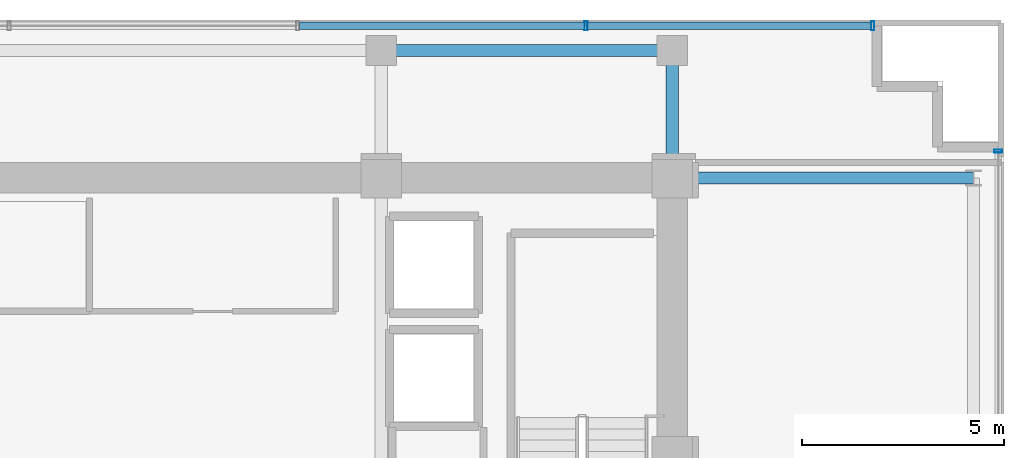
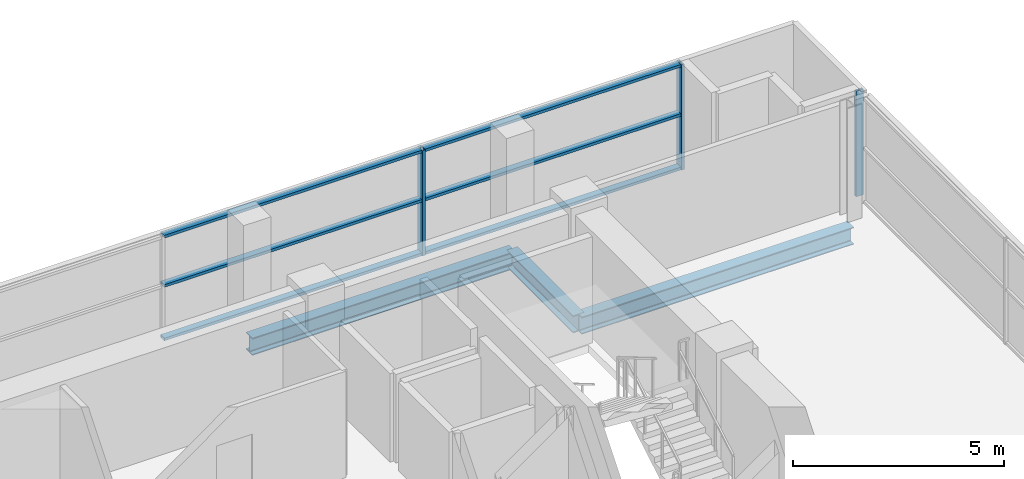
# One storey, part 12 of 21: 9 members, 3 beams, 2 elements without a shape of their own.
"""IFC4 building model written with IfcOpenShell, lengths in metres."""

from ifc_helpers import new_model, si_unit, direction, frame, origin, origin_2d, place, context, subcontext, project, spatial, hollow_rectangle, i_section, extrude, source, transform, mapped, material, layer, layer_set, material_profile, profile_set, type_object, element, aggregate, save


model = new_model("IFC4")

# Units and contexts
model_context = context("Model", 3, precision=1e-05, world=origin(), true_north=direction((0.0, 1.0)))
body_context = subcontext(model_context, "Body", "Model", "MODEL_VIEW")
ifc_project = project(units=[si_unit("LENGTHUNIT", "METRE"), si_unit("AREAUNIT", "SQUARE_METRE"), si_unit("VOLUMEUNIT", "CUBIC_METRE"), si_unit("PLANEANGLEUNIT", "RADIAN"), si_unit("MASSUNIT", "GRAM", prefix="KILO")], contexts=[model_context])

# Site, building, storey
site_placement = place(None, origin())
site = spatial("IfcSite", under=ifc_project, at=site_placement, CompositionType="ELEMENT")
building_placement = place(site_placement, origin())
building = spatial("IfcBuilding", under=site, at=building_placement, Name="Zarnakvel Exchange Tower", CompositionType="ELEMENT")
storey_placement = place(building_placement, frame((0.0, 0.0, 152.800048828125)))
storey = spatial("IfcBuildingStorey", under=building, at=storey_placement, Name="L42", CompositionType="ELEMENT", Elevation=152.800048828125)

# Beams
ifc_material_1 = material(Name="Steel S355", Category="steel")
ifc_material_profile_1 = material_profile(ifc_material_1, i_section(OverallWidth=0.300048828125, OverallDepth=0.5, WebThickness=0.014404296875, FlangeThickness=0.028076171875, FilletRadius=0.027099609375, at=origin_2d()))
ifc_profile_set_1 = profile_set([ifc_material_profile_1], Name="Steel S355")
beam_type_1 = type_object("IfcBeamType", Name="G-06", PredefinedType="BEAM", material=ifc_profile_set_1)
beam_1_placement = place(storey_placement, frame((14.39990234375, 13.5, -0.47509765625), z_axis=(1.0, 0.0, 0.0), x_axis=(0.0, 1.0, 0.0)))
element("IfcBeam", 1, at=beam_1_placement, inside=storey, type_object=beam_type_1, Name="L42 Tower E-W Frame Beam", PredefinedType="BEAM", context=body_context, shape_type="SweptSolid", body=[
    extrude(i_section(OverallWidth=0.300048828125, OverallDepth=0.5, WebThickness=0.014404296875, FlangeThickness=0.028076171875, FilletRadius=0.027099609375, at=origin_2d()), origin(), (0.0, 0.0, 1.0), 7.4501953125),
])
beam_2_placement = place(storey_placement, frame((14.39990234375, 13.5, -0.47509765625), z_axis=(0.0, 1.0, 0.0), x_axis=(-1.0, 0.0, 0.0)))
element("IfcBeam", 2, at=beam_2_placement, inside=storey, type_object=beam_type_1, Name="L42 Tower N-S Frame Beam", PredefinedType="BEAM", context=body_context, shape_type="SweptSolid", body=[
    extrude(i_section(OverallWidth=0.300048828125, OverallDepth=0.5, WebThickness=0.014404296875, FlangeThickness=0.028076171875, FilletRadius=0.027099609375, at=origin_2d()), origin(), (0.0, 0.0, 1.0), 3.14990234375),
])
ifc_material_profile_2 = material_profile(ifc_material_1, i_section(OverallWidth=0.300048828125, OverallDepth=0.5, WebThickness=0.014404296875, FlangeThickness=0.028076171875, FilletRadius=0.027099609375, at=origin_2d()))
ifc_profile_set_2 = profile_set([ifc_material_profile_2], Name="Steel S355")
beam_type_2 = type_object("IfcBeamType", Name="SP-02", PredefinedType="SPANDREL", material=ifc_profile_set_2)
beam_3_placement = place(storey_placement, frame((7.199951171875, 16.64990234375, -0.47509765625), z_axis=(1.0, 0.0, 0.0), x_axis=(0.0, 1.0, 0.0)))
element("IfcBeam", 3, at=beam_3_placement, inside=storey, type_object=beam_type_2, Name="L42 Tower E-W Frame Beam", PredefinedType="SPANDREL", context=body_context, shape_type="SweptSolid", body=[
    extrude(i_section(OverallWidth=0.300048828125, OverallDepth=0.5, WebThickness=0.014404296875, FlangeThickness=0.028076171875, FilletRadius=0.027099609375, at=origin_2d()), origin(), (0.0, 0.0, 1.0), 7.199951171875),
])

# Curtain wall, member
ifc_material_2 = material(Name="Architectural Bronze Anodised Aluminium", Category="aluminium")
ifc_layer_1 = layer(ifc_material_2, 0.199951171875)
ifc_layer_set_1 = layer_set([ifc_layer_1], Name="Architectural Bronze Anodised Aluminium")
curtain_wall_type_1 = type_object("IfcCurtainWallType", Name="CW-04", PredefinedType="NOTDEFINED", material=ifc_layer_set_1)
curtain_wall_1_placement = place(storey_placement, origin())
curtain_wall_1 = element("IfcCurtainWall", 4, at=curtain_wall_1_placement, inside=storey, type_object=curtain_wall_type_1, Name="L42 Curtain Wall CW-L42-E1 (CW-04)", PredefinedType="NOTDEFINED")
ifc_material_profile_3 = material_profile(ifc_material_2, hollow_rectangle(XDim=0.199951171875, YDim=0.074951171875, WallThickness=0.0048828125, at=origin_2d()))
ifc_profile_set_3 = profile_set([ifc_material_profile_3], Name="Architectural Bronze Anodised Aluminium")
member_type_1 = type_object("IfcMemberType", Name="CWM-04", PredefinedType="MULLION", material=ifc_profile_set_3)
shared_shape_1 = source(origin(), body_context, "Body", "SweptSolid", [
    extrude(hollow_rectangle(XDim=0.199951171875, YDim=0.074951171875, WallThickness=0.0048828125, at=origin_2d()), origin(), (0.0, 0.0, 1.0), 3.054931640625),
])
member_1_placement = place(storey_placement, frame((22.4599609375, 14.16259765625, 0.0), z_axis=(0.0, 0.0, 1.0), x_axis=(-1.0, 0.0, 0.0)))
member_1 = element("IfcMember", 5, at=member_1_placement, type_object=member_type_1, Name="CW-04 mullion 5", PredefinedType="MULLION", context=body_context, shape_type="MappedRepresentation", body=[
    mapped(shared_shape_1, transform((0.0, 0.0, 0.0), x_axis=(1.0, 0.0, 0.0), y_axis=(0.0, 1.0, 0.0), z_axis=(0.0, 0.0, 1.0), scale=1.0)),
])
aggregate(curtain_wall_1, [member_1])

# Curtain wall, members
ifc_layer_2 = layer(ifc_material_2, 0.219970703125)
ifc_layer_set_2 = layer_set([ifc_layer_2], Name="Architectural Bronze Anodised Aluminium")
curtain_wall_type_2 = type_object("IfcCurtainWallType", Name="CW-03", PredefinedType="NOTDEFINED", material=ifc_layer_set_2)
curtain_wall_2_placement = place(storey_placement, origin())
curtain_wall_2 = element("IfcCurtainWall", 6, at=curtain_wall_2_placement, inside=storey, type_object=curtain_wall_type_2, Name="L42 Curtain Wall CW-L42-N1 (CW-03)", PredefinedType="NOTDEFINED")
ifc_material_profile_4 = material_profile(ifc_material_2, hollow_rectangle(XDim=0.219970703125, YDim=0.080078125, WallThickness=0.0048828125, at=origin_2d()))
ifc_profile_set_4 = profile_set([ifc_material_profile_4], Name="Architectural Bronze Anodised Aluminium")
member_type_2 = type_object("IfcMemberType", Name="CWM-03", PredefinedType="MULLION", material=ifc_profile_set_4)
shared_shape_2 = source(origin(), body_context, "Body", "SweptSolid", [
    extrude(hollow_rectangle(XDim=0.219970703125, YDim=0.080078125, WallThickness=0.0048828125, at=origin_2d()), origin(), (0.0, 0.0, 1.0), 3.054931640625),
])
member_2_placement = place(storey_placement, frame((12.2666015625, 17.260009765625, 0.0), z_axis=(0.0, 0.0, 1.0), x_axis=(0.0, 1.0, 0.0)))
member_2 = element("IfcMember", 7, at=member_2_placement, type_object=member_type_2, Name="CW-03 mullion 6", PredefinedType="MULLION", context=body_context, shape_type="MappedRepresentation", body=[
    mapped(shared_shape_2, transform((0.0, 0.0, 0.0), x_axis=(1.0, 0.0, 0.0), y_axis=(0.0, 1.0, 0.0), z_axis=(0.0, 0.0, 1.0), scale=1.0)),
])
member_3_placement = place(storey_placement, frame((19.360107421875, 17.260009765625, 0.0), z_axis=(0.0, 0.0, 1.0), x_axis=(0.0, 1.0, 0.0)))
member_3 = element("IfcMember", 8, at=member_3_placement, type_object=member_type_2, Name="CW-03 mullion 7", PredefinedType="MULLION", context=body_context, shape_type="MappedRepresentation", body=[
    mapped(shared_shape_2, transform((0.0, 0.0, 0.0), x_axis=(1.0, 0.0, 0.0), y_axis=(0.0, 1.0, 0.0), z_axis=(0.0, 0.0, 1.0), scale=1.0)),
])
ifc_material_profile_5 = material_profile(ifc_material_2, hollow_rectangle(XDim=0.179931640625, YDim=0.080078125, WallThickness=0.00390625, at=origin_2d()))
ifc_profile_set_5 = profile_set([ifc_material_profile_5], Name="Architectural Bronze Anodised Aluminium")
member_type_3 = type_object("IfcMemberType", Name="CWT-03", PredefinedType="USERDEFINED", material=ifc_profile_set_5)
shared_shape_3 = source(origin(), body_context, "Body", "SweptSolid", [
    extrude(hollow_rectangle(XDim=0.179931640625, YDim=0.080078125, WallThickness=0.00390625, at=origin_2d()), origin(), (0.0, 0.0, 1.0), 7.013427734375),
])
member_4_placement = place(storey_placement, frame((12.306640625, 17.260009765625, 0.0400390625), z_axis=(1.0, 0.0, 0.0), x_axis=(0.0, 1.0, 0.0)))
member_4 = element("IfcMember", 9, at=member_4_placement, type_object=member_type_3, Name="CW-03 transom 6.1", ObjectType="TRANSOM", PredefinedType="USERDEFINED", context=body_context, shape_type="MappedRepresentation", body=[
    mapped(shared_shape_3, transform((0.0, 0.0, 0.0), x_axis=(1.0, 0.0, 0.0), y_axis=(0.0, 1.0, 0.0), z_axis=(0.0, 0.0, 1.0), scale=1.0)),
])
member_5_placement = place(storey_placement, frame((12.306640625, 17.260009765625, 1.588623046875), z_axis=(1.0, 0.0, 0.0), x_axis=(0.0, 1.0, 0.0)))
member_5 = element("IfcMember", 10, at=member_5_placement, type_object=member_type_3, Name="CW-03 transom 6.2", ObjectType="TRANSOM", PredefinedType="USERDEFINED", context=body_context, shape_type="MappedRepresentation", body=[
    mapped(shared_shape_3, transform((0.0, 0.0, 0.0), x_axis=(1.0, 0.0, 0.0), y_axis=(0.0, 1.0, 0.0), z_axis=(0.0, 0.0, 1.0), scale=1.0)),
])
member_6_placement = place(storey_placement, frame((12.306640625, 17.260009765625, 3.014892578125), z_axis=(1.0, 0.0, 0.0), x_axis=(0.0, 1.0, 0.0)))
member_6 = element("IfcMember", 11, at=member_6_placement, type_object=member_type_3, Name="CW-03 transom 6.3", ObjectType="TRANSOM", PredefinedType="USERDEFINED", context=body_context, shape_type="MappedRepresentation", body=[
    mapped(shared_shape_3, transform((0.0, 0.0, 0.0), x_axis=(1.0, 0.0, 0.0), y_axis=(0.0, 1.0, 0.0), z_axis=(0.0, 0.0, 1.0), scale=1.0)),
])
shared_shape_4 = source(origin(), body_context, "Body", "SweptSolid", [
    extrude(hollow_rectangle(XDim=0.179931640625, YDim=0.080078125, WallThickness=0.00390625, at=origin_2d()), origin(), (0.0, 0.0, 1.0), 7.05322265625),
])
member_7_placement = place(storey_placement, frame((5.17333984375, 17.260009765625, 0.0400390625), z_axis=(1.0, 0.0, 0.0), x_axis=(0.0, 1.0, 0.0)))
member_7 = element("IfcMember", 12, at=member_7_placement, type_object=member_type_3, Name="CW-03 transom 5.1", ObjectType="TRANSOM", PredefinedType="USERDEFINED", context=body_context, shape_type="MappedRepresentation", body=[
    mapped(shared_shape_4, transform((0.0, 0.0, 0.0), x_axis=(1.0, 0.0, 0.0), y_axis=(0.0, 1.0, 0.0), z_axis=(0.0, 0.0, 1.0), scale=1.0)),
])
member_8_placement = place(storey_placement, frame((5.17333984375, 17.260009765625, 1.588623046875), z_axis=(1.0, 0.0, 0.0), x_axis=(0.0, 1.0, 0.0)))
member_8 = element("IfcMember", 13, at=member_8_placement, type_object=member_type_3, Name="CW-03 transom 5.2", ObjectType="TRANSOM", PredefinedType="USERDEFINED", context=body_context, shape_type="MappedRepresentation", body=[
    mapped(shared_shape_4, transform((0.0, 0.0, 0.0), x_axis=(1.0, 0.0, 0.0), y_axis=(0.0, 1.0, 0.0), z_axis=(0.0, 0.0, 1.0), scale=1.0)),
])
member_9_placement = place(storey_placement, frame((5.17333984375, 17.260009765625, 3.014892578125), z_axis=(1.0, 0.0, 0.0), x_axis=(0.0, 1.0, 0.0)))
member_9 = element("IfcMember", 14, at=member_9_placement, type_object=member_type_3, Name="CW-03 transom 5.3", ObjectType="TRANSOM", PredefinedType="USERDEFINED", context=body_context, shape_type="MappedRepresentation", body=[
    mapped(shared_shape_4, transform((0.0, 0.0, 0.0), x_axis=(1.0, 0.0, 0.0), y_axis=(0.0, 1.0, 0.0), z_axis=(0.0, 0.0, 1.0), scale=1.0)),
])
aggregate(curtain_wall_2, [member_2, member_3, member_7, member_8, member_9, member_4, member_5, member_6])

save(model, "model.ifc")
